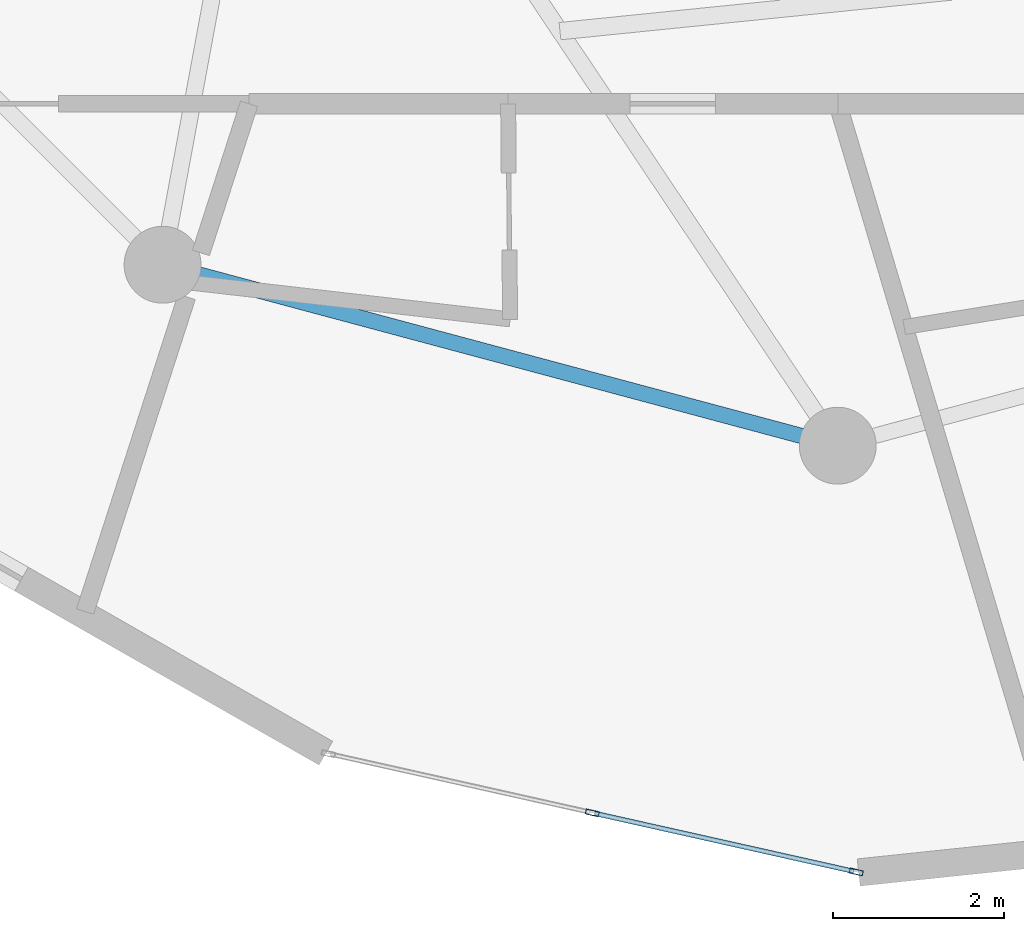
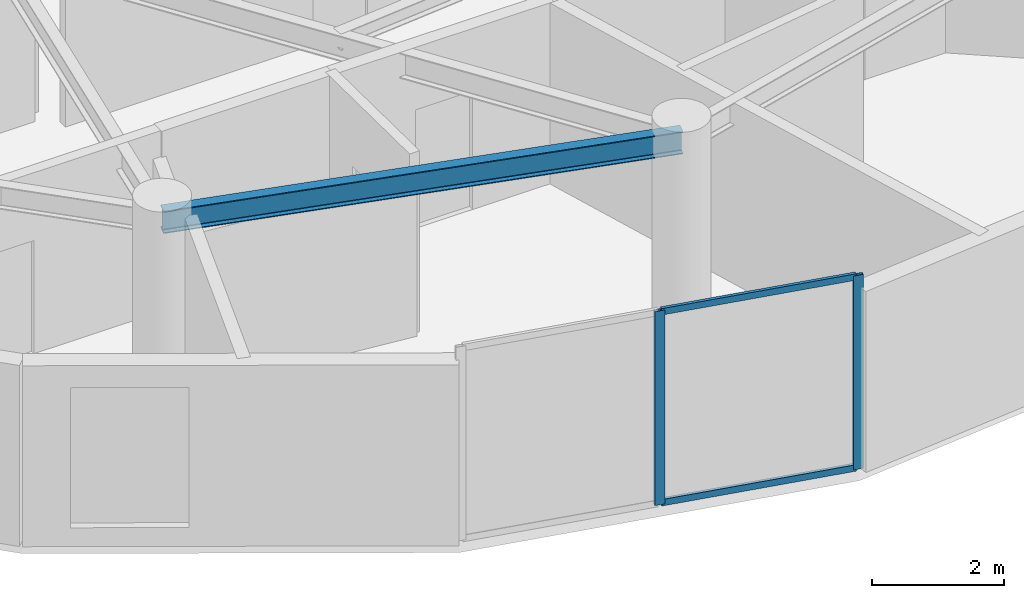
# One storey, part 5 of 23: 4 members, 1 beam, 1 element without a shape of its own.
"""IFC4 building model written with IfcOpenShell, lengths in metres."""

from ifc_helpers import new_model, si_unit, direction, frame, origin, origin_2d, place, context, subcontext, project, spatial, hollow_rectangle, i_section, extrude, source, transform, mapped, material, layer, layer_set, material_profile, profile_set, type_object, element, aggregate, save


model = new_model("IFC4")

# Units and contexts
model_context = context("Model", 3, precision=1e-05, world=origin(), true_north=direction((0.0, 1.0)))
body_context = subcontext(model_context, "Body", "Model", "MODEL_VIEW")
ifc_project = project(units=[si_unit("LENGTHUNIT", "METRE"), si_unit("AREAUNIT", "SQUARE_METRE"), si_unit("VOLUMEUNIT", "CUBIC_METRE"), si_unit("PLANEANGLEUNIT", "RADIAN"), si_unit("MASSUNIT", "GRAM", prefix="KILO")], contexts=[model_context])

# Site, building, storey
site_placement = place(None, origin())
site = spatial("IfcSite", under=ifc_project, at=site_placement, CompositionType="ELEMENT")
building_placement = place(site_placement, origin())
building = spatial("IfcBuilding", under=site, at=building_placement, Name="Solvirekh Grand Hotel", CompositionType="ELEMENT")
storey_placement = place(building_placement, frame((0.0, 0.0, 176.800048828125)))
storey = spatial("IfcBuildingStorey", under=building, at=storey_placement, Name="L45", CompositionType="ELEMENT", Elevation=176.800048828125)

# Beam
ifc_material_1 = material(Name="Steel S355", Category="steel")
ifc_material_profile_1 = material_profile(ifc_material_1, i_section(OverallWidth=0.180908203125, OverallDepth=0.4169921875, WebThickness=0.010009765625, FlangeThickness=0.01611328125, FilletRadius=0.011962890625, at=origin_2d()), Name="W410X85")
ifc_profile_set_1 = profile_set([ifc_material_profile_1], Name="Steel S355")
beam_type = type_object("IfcBeamType", Name="Spandrel_Ring_W410", PredefinedType="SPANDREL", material=ifc_profile_set_1)
beam_placement = place(storey_placement, frame((-7.89990234375, -13.68310546875, 3.15185546875), z_axis=(0.965920601923, -0.258838541915, 0.0), x_axis=(0.258838541915, 0.965920601923, 0.0)))
element("IfcBeam", 1, at=beam_placement, inside=storey, type_object=beam_type, Name="L45 perimeter spandrel beam 9", PredefinedType="SPANDREL", context=body_context, shape_type="SweptSolid", body=[
    extrude(i_section(OverallWidth=0.180908203125, OverallDepth=0.4169921875, WebThickness=0.010009765625, FlangeThickness=0.01611328125, FilletRadius=0.011962890625, at=origin_2d()), origin(), (0.0, 0.0, 1.0), 8.1787109375),
])

# Curtain wall, members
ifc_material_2 = material(Name="Anodized Bronze Aluminium 6063-T6", Category="aluminium")
ifc_layer = layer(ifc_material_2, 0.159912109375)
ifc_layer_set = layer_set([ifc_layer], Name="Anodized Bronze Aluminium 6063-T6")
curtain_wall_type = type_object("IfcCurtainWallType", Name="CW_Sys4_HighZoneFlushBronzeCW", PredefinedType="NOTDEFINED", material=ifc_layer_set)
curtain_wall_placement = place(storey_placement, origin())
curtain_wall = element("IfcCurtainWall", 2, at=curtain_wall_placement, inside=storey, type_object=curtain_wall_type, Name="L45 unitised bronze-glass curtain wall CW-L45-C18", PredefinedType="NOTDEFINED")
ifc_material_profile_2 = material_profile(ifc_material_2, hollow_rectangle(XDim=0.054931640625, YDim=0.1201171875, WallThickness=0.00390625, at=origin_2d()), Name="ALU RHS 120X55X4")
ifc_profile_set_2 = profile_set([ifc_material_profile_2], Name="Anodized Bronze Aluminium 6063-T6")
member_type_1 = type_object("IfcMemberType", Name="CWTransom_Sys4", PredefinedType="USERDEFINED", material=ifc_profile_set_2)
shared_shape_1 = source(origin(), body_context, "Body", "SweptSolid", [
    extrude(hollow_rectangle(XDim=0.054931640625, YDim=0.1201171875, WallThickness=0.00390625, at=origin_2d()), origin(), (0.0, 0.0, 1.0), 3.104736328125),
])
member_1_placement = place(storey_placement, frame((-2.84326171875, -20.1025390625, 0.02734375), z_axis=(0.975832380108, -0.218520401638, 0.0), x_axis=(0.218520401638, 0.975832380108, 0.0)))
member_1 = element("IfcMember", 3, at=member_1_placement, type_object=member_type_1, Name="U04 transom 2.1", ObjectType="TRANSOM", PredefinedType="USERDEFINED", context=body_context, shape_type="MappedRepresentation", body=[
    mapped(shared_shape_1, transform((0.0, 0.0, 0.0), x_axis=(1.0, 0.0, 0.0), y_axis=(0.0, 1.0, 0.0), z_axis=(0.0, 0.0, 1.0), scale=1.0)),
])
member_2_placement = place(storey_placement, frame((-2.84326171875, -20.1025390625, 3.572509765625), z_axis=(0.975832380108, -0.218520401638, 0.0), x_axis=(0.218520401638, 0.975832380108, 0.0)))
member_2 = element("IfcMember", 4, at=member_2_placement, type_object=member_type_1, Name="U04 transom 2.2", ObjectType="TRANSOM", PredefinedType="USERDEFINED", context=body_context, shape_type="MappedRepresentation", body=[
    mapped(shared_shape_1, transform((0.0, 0.0, 0.0), x_axis=(1.0, 0.0, 0.0), y_axis=(0.0, 1.0, 0.0), z_axis=(0.0, 0.0, 1.0), scale=1.0)),
])
ifc_material_profile_3 = material_profile(ifc_material_2, hollow_rectangle(XDim=0.06005859375, YDim=0.159912109375, WallThickness=0.0048828125, at=origin_2d()), Name="ALU RHS 160X60X5")
ifc_profile_set_3 = profile_set([ifc_material_profile_3], Name="Anodized Bronze Aluminium 6063-T6")
member_type_2 = type_object("IfcMemberType", Name="CWMullion_Sys4", PredefinedType="MULLION", material=ifc_profile_set_3)
shared_shape_2 = source(origin(), body_context, "Body", "SweptSolid", [
    extrude(hollow_rectangle(XDim=0.06005859375, YDim=0.159912109375, WallThickness=0.0048828125, at=origin_2d()), origin(), (0.0, 0.0, 1.0), 3.599853515625),
])
member_3_placement = place(storey_placement, frame((-2.87255859375, -20.095947265625, 0.0), z_axis=(0.0, 0.0, 1.0), x_axis=(0.218487916144, 0.975839654092, 0.0)))
member_3 = element("IfcMember", 5, at=member_3_placement, type_object=member_type_2, Name="U04 mullion 2", PredefinedType="MULLION", context=body_context, shape_type="MappedRepresentation", body=[
    mapped(shared_shape_2, transform((0.0, 0.0, 0.0), x_axis=(1.0, 0.0, 0.0), y_axis=(0.0, 1.0, 0.0), z_axis=(0.0, 0.0, 1.0), scale=1.0)),
])
member_4_placement = place(storey_placement, frame((0.2158203125, -20.787353515625, 0.0), z_axis=(0.0, 0.0, 1.0), x_axis=(0.218487916144, 0.975839654092, 0.0)))
member_4 = element("IfcMember", 6, at=member_4_placement, type_object=member_type_2, Name="U04 mullion 3", PredefinedType="MULLION", context=body_context, shape_type="MappedRepresentation", body=[
    mapped(shared_shape_2, transform((0.0, 0.0, 0.0), x_axis=(1.0, 0.0, 0.0), y_axis=(0.0, 1.0, 0.0), z_axis=(0.0, 0.0, 1.0), scale=1.0)),
])
aggregate(curtain_wall, [member_3, member_4, member_1, member_2])

save(model, "model.ifc")
